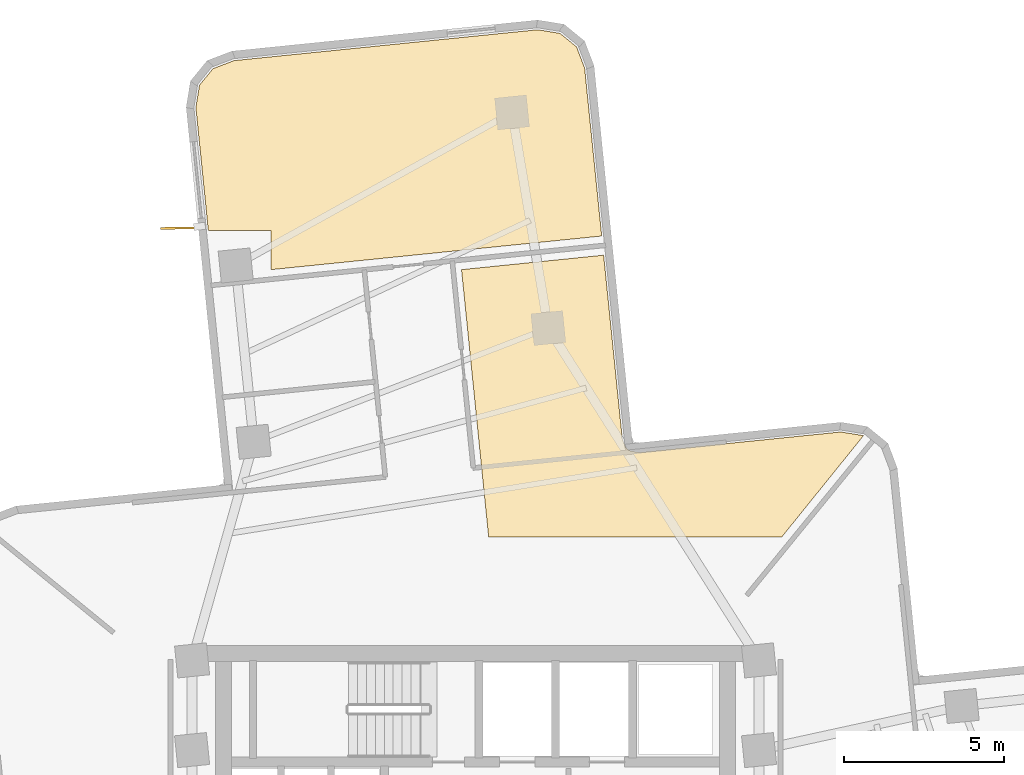
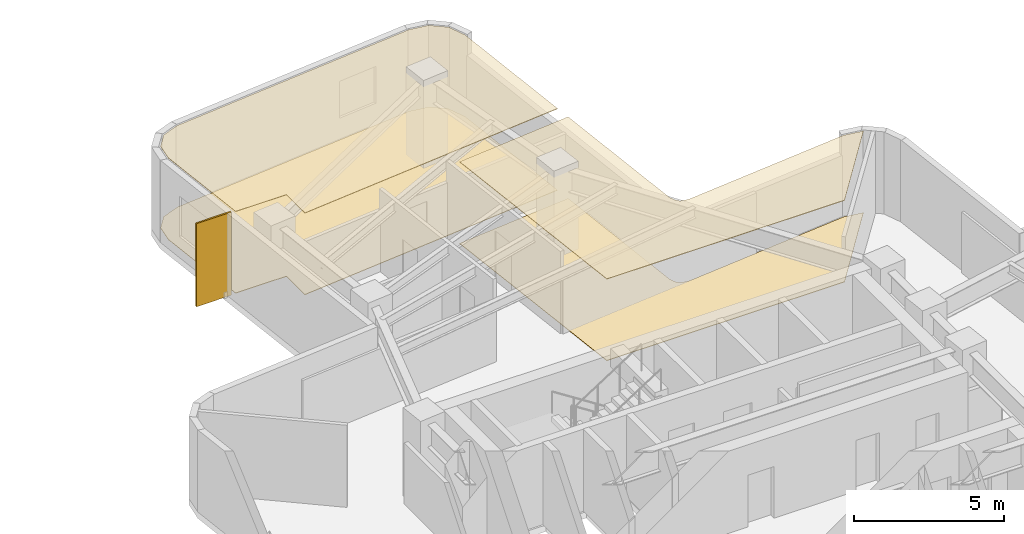
# One storey, part 9 of 9: 4 coverings, 1 shading device.
"""IFC4 building model written with IfcOpenShell, lengths in metres."""

from ifc_helpers import new_model, si_unit, direction, frame, origin, origin_2d, place, context, subcontext, project, spatial, polyline, rectangle, outline, extrude, material, layer, layer_set, type_object, element, save


model = new_model("IFC4")

# Units and contexts
model_context = context("Model", 3, precision=1e-05, world=origin(), true_north=direction((0.0, 1.0)))
body_context = subcontext(model_context, "Body", "Model", "MODEL_VIEW")
ifc_project = project(units=[si_unit("LENGTHUNIT", "METRE"), si_unit("AREAUNIT", "SQUARE_METRE"), si_unit("VOLUMEUNIT", "CUBIC_METRE"), si_unit("PLANEANGLEUNIT", "RADIAN"), si_unit("MASSUNIT", "GRAM", prefix="KILO")], contexts=[model_context])

# Site, building, storey
site_placement = place(None, origin())
site = spatial("IfcSite", under=ifc_project, at=site_placement, CompositionType="ELEMENT")
building_placement = place(site_placement, origin())
building = spatial("IfcBuilding", under=site, at=building_placement, Name="Solmarez Civic Tower", CompositionType="ELEMENT")
storey_placement = place(building_placement, frame((0.0, 0.0, 71.280029296875)))
storey = spatial("IfcBuildingStorey", under=building, at=storey_placement, Name="L18", CompositionType="ELEMENT", Elevation=71.280029296875)

# Coverings
ifc_material_1 = material(Name="Perforated Mineral-Fibre Acoustic Ceiling")
ifc_layer_1 = layer(ifc_material_1, 0.02490234375)
ifc_layer_set_1 = layer_set([ifc_layer_1], Name="Perforated Mineral-Fibre Acoustic Ceiling")
covering_type_1 = type_object("IfcCoveringType", Name="COV-CEIL-ACOUSTIC", PredefinedType="CEILING", material=ifc_layer_set_1)
covering_1_placement = place(storey_placement, frame((0.0, 0.0, 3.31494140625)))
element("IfcCovering", 1, at=covering_1_placement, inside=storey, type_object=covering_type_1, Name="L18 Suspended Acoustic Ceiling 1", PredefinedType="CEILING", context=body_context, shape_type="SweptSolid", body=[
    extrude(outline(polyline([(3.93798828125, 21.59912109375), (3.405029296875, 26.842041015625), (3.153076171875, 27.50390625), (2.635986328125, 27.926025390625), (1.93603515625, 28.0390625), (-7.534912109375, 27.076904296875), (-8.197998046875, 26.824951171875), (-8.618896484375, 26.30908203125), (-8.73193359375, 25.60888671875), (-8.343994140625, 21.779052734375), (-6.388916015625, 21.779052734375), (-6.388916015625, 20.549072265625), (3.93798828125, 21.59912109375)])), origin(), (0.0, 0.0, 1.0), 0.025146484375),
])
covering_2_placement = place(storey_placement, frame((0.0, 0.0, 3.31494140625)))
element("IfcCovering", 2, at=covering_2_placement, inside=storey, type_object=covering_type_1, Name="L18 Suspended Acoustic Ceiling 2", PredefinedType="CEILING", context=body_context, shape_type="SweptSolid", body=[
    extrude(outline(polyline([(0.408935546875, 12.199951171875), (9.556884765625, 12.199951171875), (12.10888671875, 15.364013671875), (12.10302734375, 15.367919921875), (11.404052734375, 15.48193359375), (5.136962890625, 14.844970703125), (5.114990234375, 14.843994140625), (5.10107421875, 14.843994140625), (5.070068359375, 14.845947265625), (5.05908203125, 14.847900390625), (4.888916015625, 14.875), (4.87109375, 14.87890625), (4.863037109375, 14.881103515625), (4.85595703125, 14.882080078125), (4.84912109375, 14.884033203125), (4.822021484375, 14.89404296875), (4.81494140625, 14.89697265625), (4.80810546875, 14.89990234375), (4.7890625, 14.908935546875), (4.77099609375, 14.919921875), (4.75390625, 14.93310546875), (4.748046875, 14.93798828125), (4.741943359375, 14.943115234375), (4.72705078125, 14.9560546875), (4.721923828125, 14.9609375), (4.708984375, 14.97607421875), (4.7041015625, 14.98193359375), (4.68994140625, 15.0009765625), (4.68603515625, 15.007080078125), (4.677978515625, 15.02001953125), (4.674072265625, 15.027099609375), (4.6630859375, 15.049072265625), (4.659912109375, 15.055908203125), (4.656005859375, 15.06494140625), (4.594970703125, 15.22509765625), (4.589111328125, 15.242919921875), (4.5869140625, 15.25), (4.5849609375, 15.257080078125), (4.5791015625, 15.285888671875), (4.577880859375, 15.29296875), (4.576904296875, 15.302001953125), (3.998046875, 21.001953125), (-0.43896484375, 20.550048828125), (0.408935546875, 12.199951171875)])), origin(), (0.0, 0.0, 1.0), 0.025146484375),
])
ifc_material_2 = material(Name="Polished Tropical Stone Terrazzo Flooring", Category="masonry")
ifc_layer_2 = layer(ifc_material_2, 0.02001953125)
ifc_layer_set_2 = layer_set([ifc_layer_2], Name="Polished Tropical Stone Terrazzo Flooring")
covering_type_2 = type_object("IfcCoveringType", Name="COV-FLOOR-TERRAZZO", PredefinedType="FLOORING", material=ifc_layer_set_2)
covering_3_placement = place(storey_placement, origin())
element("IfcCovering", 3, at=covering_3_placement, inside=storey, type_object=covering_type_2, Name="L18 Terrazzo Floor Finish 1", PredefinedType="FLOORING", context=body_context, shape_type="SweptSolid", body=[
    extrude(outline(polyline([(3.93798828125, 21.59912109375), (3.405029296875, 26.842041015625), (3.153076171875, 27.50390625), (2.635986328125, 27.926025390625), (1.93603515625, 28.0390625), (-7.534912109375, 27.076904296875), (-8.197998046875, 26.824951171875), (-8.618896484375, 26.30908203125), (-8.73193359375, 25.60888671875), (-8.343994140625, 21.779052734375), (-6.388916015625, 21.779052734375), (-6.388916015625, 20.549072265625), (3.93798828125, 21.59912109375)])), origin(), (0.0, 0.0, 1.0), 0.02001953125),
])
covering_4_placement = place(storey_placement, origin())
element("IfcCovering", 4, at=covering_4_placement, inside=storey, type_object=covering_type_2, Name="L18 Terrazzo Floor Finish 2", PredefinedType="FLOORING", context=body_context, shape_type="SweptSolid", body=[
    extrude(outline(polyline([(0.408935546875, 12.199951171875), (9.556884765625, 12.199951171875), (12.10888671875, 15.364013671875), (12.10302734375, 15.367919921875), (11.404052734375, 15.48193359375), (5.136962890625, 14.844970703125), (5.114990234375, 14.843994140625), (5.10107421875, 14.843994140625), (5.070068359375, 14.845947265625), (5.05908203125, 14.847900390625), (4.888916015625, 14.875), (4.87109375, 14.87890625), (4.863037109375, 14.881103515625), (4.85595703125, 14.882080078125), (4.84912109375, 14.884033203125), (4.822021484375, 14.89404296875), (4.81494140625, 14.89697265625), (4.80810546875, 14.89990234375), (4.7890625, 14.908935546875), (4.77099609375, 14.919921875), (4.75390625, 14.93310546875), (4.748046875, 14.93798828125), (4.741943359375, 14.943115234375), (4.72705078125, 14.9560546875), (4.721923828125, 14.9609375), (4.708984375, 14.97607421875), (4.7041015625, 14.98193359375), (4.68994140625, 15.0009765625), (4.68603515625, 15.007080078125), (4.677978515625, 15.02001953125), (4.674072265625, 15.027099609375), (4.6630859375, 15.049072265625), (4.659912109375, 15.055908203125), (4.656005859375, 15.06494140625), (4.594970703125, 15.22509765625), (4.589111328125, 15.242919921875), (4.5869140625, 15.25), (4.5849609375, 15.257080078125), (4.5791015625, 15.285888671875), (4.577880859375, 15.29296875), (4.576904296875, 15.302001953125), (3.998046875, 21.001953125), (-0.43896484375, 20.550048828125), (0.408935546875, 12.199951171875)])), origin(), (0.0, 0.0, 1.0), 0.02001953125),
])

# Shading device
ifc_material_3 = material(Name="Bronze Anodised Aluminium EN AW-6063 T6", Category="aluminium")
ifc_layer_3 = layer(ifc_material_3, 0.06494140625)
ifc_layer_set_3 = layer_set([ifc_layer_3], Name="Bronze Anodised Aluminium EN AW-6063 T6")
shading_device_type = type_object("IfcShadingDeviceType", Name="FIN-BRONZE-Z12", PredefinedType="USERDEFINED", material=ifc_layer_set_3)
shading_device_placement = place(storey_placement, frame((-9.158935546875, 21.844970703125, -0.0400390625), z_axis=(0.0, 0.0, 1.0), x_axis=(-0.999968329703, -0.007958617371, 0.0)))
element("IfcShadingDevice", 5, at=shading_device_placement, inside=storey, type_object=shading_device_type, Name="L18 Anodised Bronze Solar Fin FIN-L18-04", ObjectType="FIN", PredefinedType="USERDEFINED", context=body_context, shape_type="SweptSolid", body=[
    extrude(rectangle(XDim=1.35009765625, YDim=0.06494140625, at=origin_2d()), origin(), (0.0, 0.0, 1.0), 3.3798828125),
])

save(model, "model.ifc")
